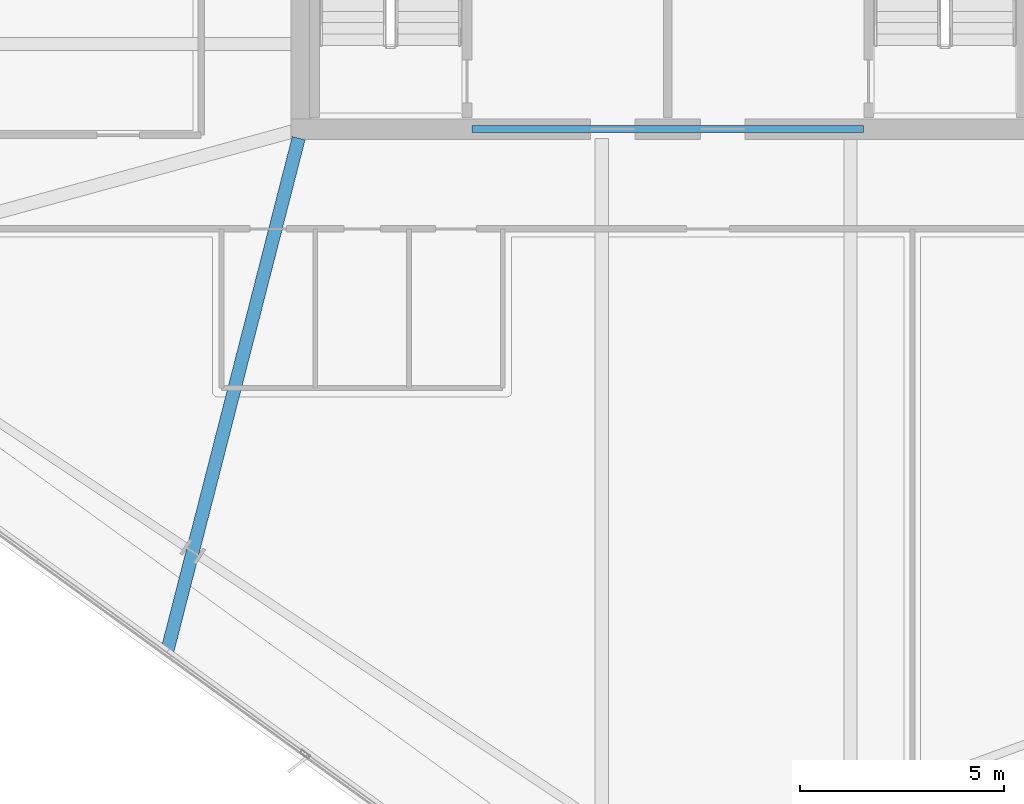
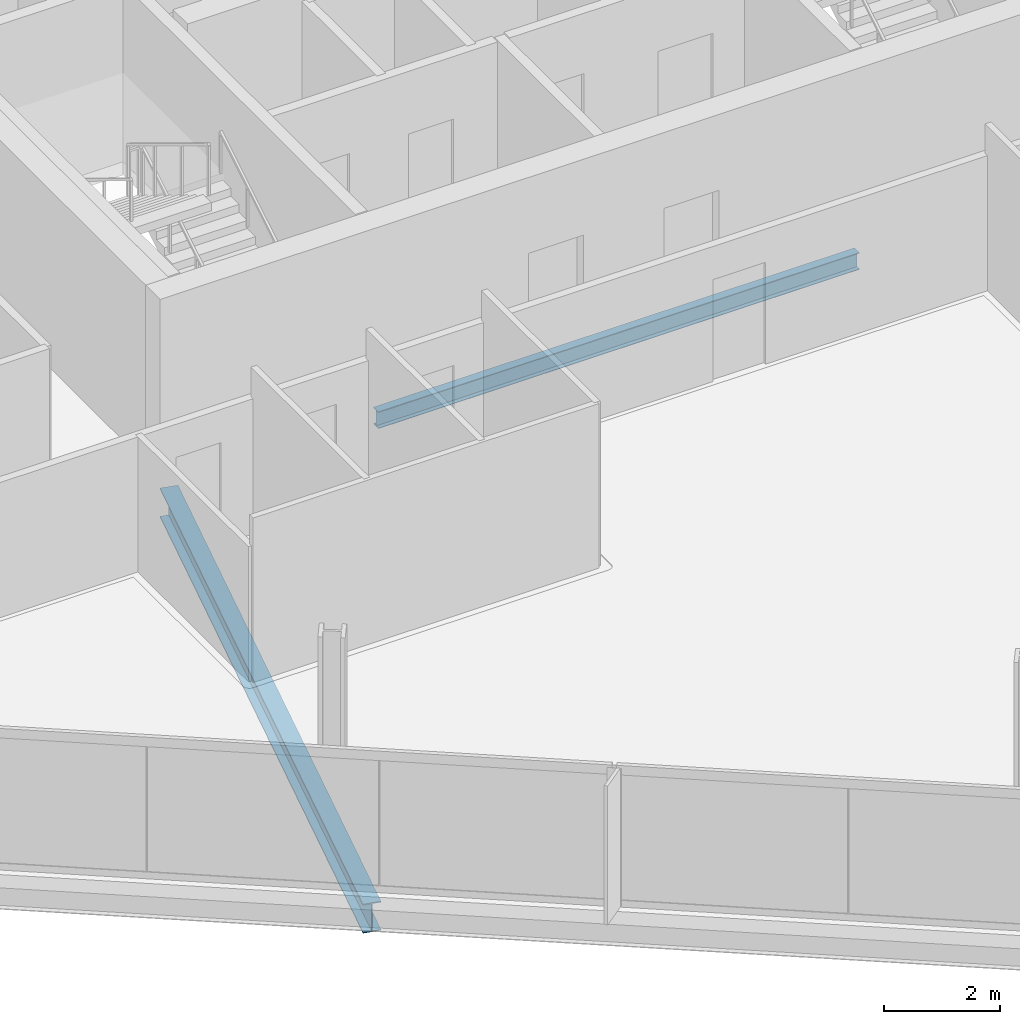
# One storey, part 7 of 29: 2 beams.
"""IFC4 building model written with IfcOpenShell, lengths in metres."""

from ifc_helpers import new_model, si_unit, direction, frame, origin, origin_2d, place, context, subcontext, project, spatial, i_section, extrude, material, material_profile, profile_set, type_object, element, save


model = new_model("IFC4")

# Units and contexts
model_context = context("Model", 3, precision=1e-05, world=origin(), true_north=direction((0.0, 1.0)))
body_context = subcontext(model_context, "Body", "Model", "MODEL_VIEW")
ifc_project = project(units=[si_unit("LENGTHUNIT", "METRE"), si_unit("AREAUNIT", "SQUARE_METRE"), si_unit("VOLUMEUNIT", "CUBIC_METRE"), si_unit("PLANEANGLEUNIT", "RADIAN"), si_unit("MASSUNIT", "GRAM", prefix="KILO")], contexts=[model_context])

# Site, building, storey
site_placement = place(None, origin())
site = spatial("IfcSite", under=ifc_project, at=site_placement, CompositionType="ELEMENT")
building_placement = place(site_placement, origin())
building = spatial("IfcBuilding", under=site, at=building_placement, Name="Haldenkirk Collegiate Tower", CompositionType="ELEMENT")
storey_placement = place(building_placement, frame((0.0, 0.0, 209.699951171875)))
storey = spatial("IfcBuildingStorey", under=building, at=storey_placement, Name="L52", CompositionType="ELEMENT", Elevation=209.699951171875)

# Beams
ifc_material = material(Name="Steel ASTM A992 Grade 50", Category="steel")
ifc_material_profile_1 = material_profile(ifc_material, i_section(OverallWidth=0.324951171875, OverallDepth=0.615966796875, WebThickness=0.013916015625, FlangeThickness=0.021484375, at=origin_2d()), Name="W24X117")
ifc_profile_set_1 = profile_set([ifc_material_profile_1], Name="Steel ASTM A992 Grade 50")
beam_type_1 = type_object("IfcBeamType", Name="BM-GIRDER-W24X117", PredefinedType="BEAM", material=ifc_profile_set_1)
beam_1_placement = place(storey_placement, frame((23.711669921875, 5.166015625, -0.587890625), z_axis=(0.248201636995, 0.968708391309, 0.0), x_axis=(-0.968708391309, 0.248201636995, 0.0)))
element("IfcBeam", 1, at=beam_1_placement, inside=storey, type_object=beam_type_1, Name="L52 primary floor girder 15", PredefinedType="BEAM", context=body_context, shape_type="SweptSolid", body=[
    extrude(i_section(OverallWidth=0.324951171875, OverallDepth=0.615966796875, WebThickness=0.013916015625, FlangeThickness=0.021484375, at=origin_2d()), origin(), (0.0, 0.0, 1.0), 13.0185546875),
])
ifc_material_profile_2 = material_profile(ifc_material, i_section(OverallWidth=0.1708984375, OverallDepth=0.35595703125, WebThickness=0.007080078125, FlangeThickness=0.01171875, at=origin_2d()), Name="W14X34")
ifc_profile_set_2 = profile_set([ifc_material_profile_2], Name="Steel ASTM A992 Grade 50")
beam_type_2 = type_object("IfcBeamType", Name="BM-LINTEL-W14X34", PredefinedType="LINTEL", material=ifc_profile_set_2)
beam_2_placement = place(storey_placement, frame((31.199951171875, 18.0, -0.4580078125), z_axis=(1.0, 0.0, 0.0), x_axis=(0.0, 1.0, 0.0)))
element("IfcBeam", 2, at=beam_2_placement, inside=storey, type_object=beam_type_2, Name="L52 south core coupling lintel", PredefinedType="LINTEL", context=body_context, shape_type="SweptSolid", body=[
    extrude(i_section(OverallWidth=0.1708984375, OverallDepth=0.35595703125, WebThickness=0.007080078125, FlangeThickness=0.01171875, at=origin_2d()), origin(), (0.0, 0.0, 1.0), 9.60009765625),
])

save(model, "model.ifc")
